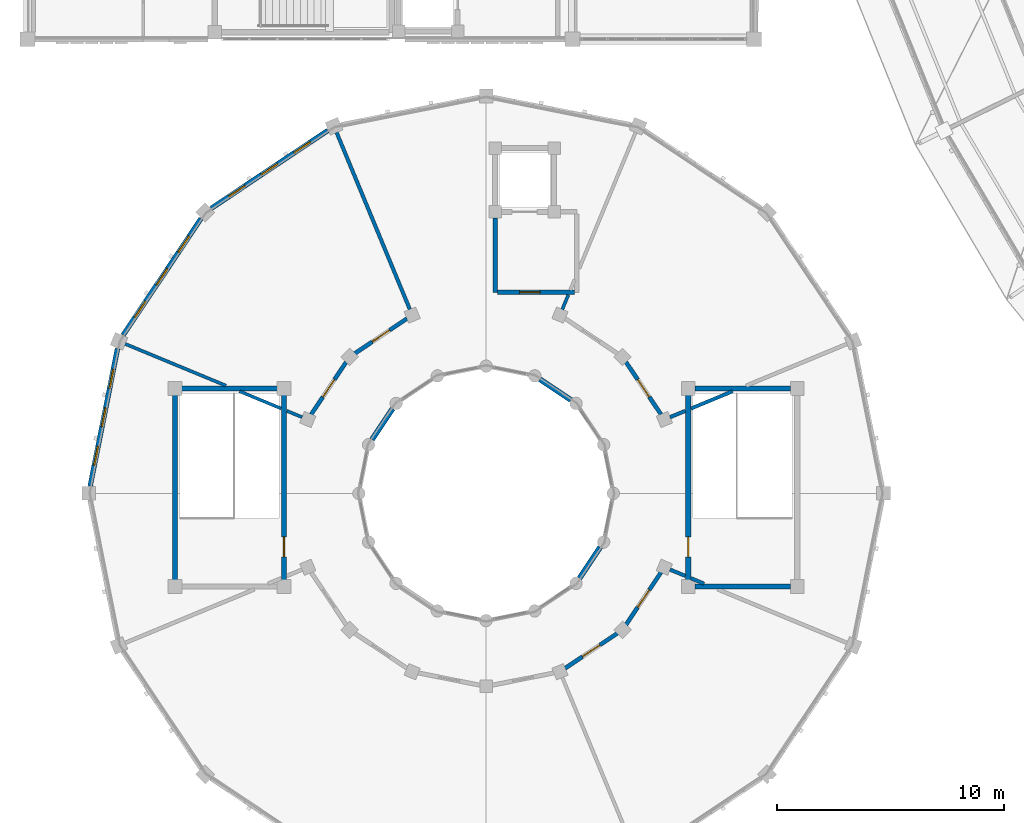
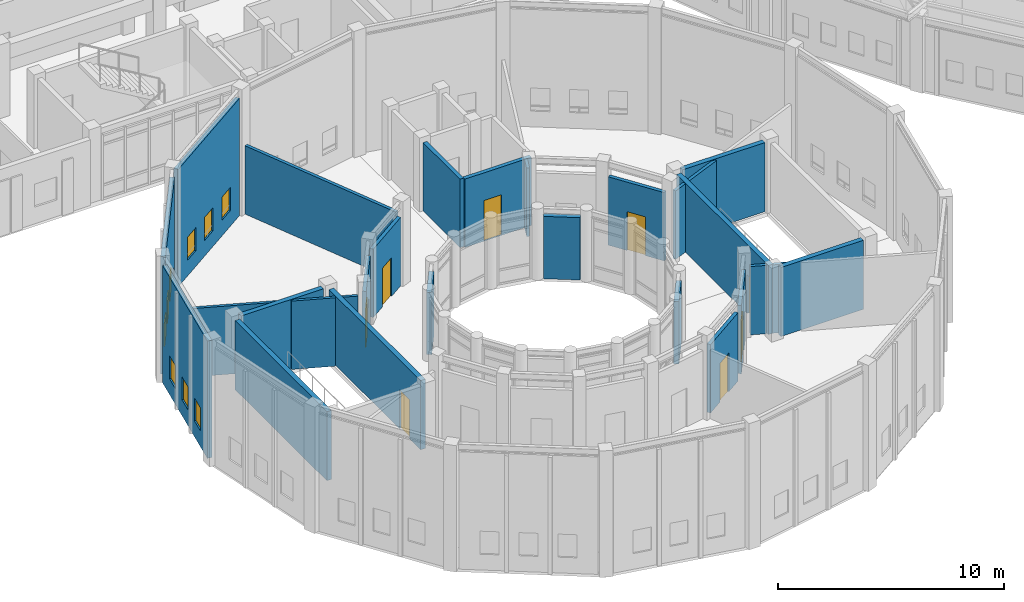
# One storey, part 117 of 149: 28 walls, 9 windows, 8 doors, 17 openings.
"""IFC4 building model written with IfcOpenShell, lengths in metres."""

from ifc_helpers import new_model, si_unit, direction, frame, frame_2d, origin, place, context, subcontext, project, spatial, rectangle, extrude, material, layer, layer_set, type_object, element, fill, save


model = new_model("IFC4")

# Units and contexts
model_context = context("Model", 3, precision=1e-05, world=origin(), true_north=direction((0.0, 1.0)))
body_context = subcontext(model_context, "Body", "Model", "MODEL_VIEW")
ifc_project = project(units=[si_unit("LENGTHUNIT", "METRE"), si_unit("AREAUNIT", "SQUARE_METRE"), si_unit("VOLUMEUNIT", "CUBIC_METRE"), si_unit("PLANEANGLEUNIT", "RADIAN"), si_unit("MASSUNIT", "GRAM", prefix="KILO")], contexts=[model_context])

# Site, building, storey
site_placement = place(None, origin())
site = spatial("IfcSite", under=ifc_project, at=site_placement, CompositionType="ELEMENT")
building_placement = place(site_placement, origin())
building = spatial("IfcBuilding", under=site, at=building_placement, Name="Celadon Cloister-Ring School", CompositionType="ELEMENT")
storey_placement = place(building_placement, frame((0.0, 0.0, 12.5)))
storey = spatial("IfcBuildingStorey", under=building, at=storey_placement, Name="L03", CompositionType="ELEMENT", Elevation=12.5)

# Walls
ifc_material_1 = material(Name="Rendered concrete blockwork", Category="masonry")
ifc_layer_1 = layer(ifc_material_1, 0.239990234375)
ifc_layer_set_1 = layer_set([ifc_layer_1], Name="Rendered concrete blockwork")
wall_type_1 = type_object("IfcWallType", Name="WT-EX3", PredefinedType="SOLIDWALL", material=ifc_layer_set_1)
for number, where, z_axis, x_axis, name in (
    (1, (23.929931640625, 24.114013671875, 0.0), (0.0, 0.0, 1.0), (-0.83165874011, 0.555287078904, 0.0), "Exterior Wall 0354"),
    (2, (16.0859375, 23.72998046875, 0.0), (0.0, 0.0, 1.0), (-0.555287078904, -0.83165874011, 0.0), "Exterior Wall 0359"),
    (3, (24.31396484375, 16.27001953125, 0.0), (0.0, 0.0, 1.0), (0.555287078904, 0.83165874011, 0.0), "Exterior Wall 0369"),
):
    element("IfcWall", number, at=place(storey_placement, frame(where, z_axis=z_axis, x_axis=x_axis)), inside=storey, type_object=wall_type_1, Name=name, PredefinedType="SOLIDWALL", context=body_context, shape_type="SweptSolid", body=[
        extrude(rectangle(XDim=1.631591796875, YDim=0.239990234375, at=frame_2d((0.81591796875, 0.0))), origin(), (0.0, 0.0, 1.0), 3.375),
    ])

# Wall, openings, windows
ifc_material_2 = material(Name="Perforated terracotta clay brick masonry", Category="masonry")
ifc_layer_2 = layer(ifc_material_2, 0.219970703125)
ifc_layer_set_2 = layer_set([ifc_layer_2], Name="Perforated terracotta clay brick masonry")
wall_type_2 = type_object("IfcWallType", Name="WT-EX4", PredefinedType="SOLIDWALL", material=ifc_layer_set_2)
wall_1_placement = place(storey_placement, frame((8.10009765625, 32.556884765625, 0.0), z_axis=(0.0, 0.0, 1.0), x_axis=(0.831379966495, 0.555704374025, 0.0)))
wall_1 = element("IfcWall", 4, at=wall_1_placement, inside=storey, type_object=wall_type_2, Name="Exterior Wall 0357", PredefinedType="SOLIDWALL", context=body_context, shape_type="SweptSolid", body=[
    extrude(rectangle(XDim=6.169189453125, YDim=0.219970703125, at=frame_2d((3.08447265625, 0.0))), origin(), (0.0, 0.0, 1.0), 6.35009765625),
])
opening_1_placement = place(wall_1_placement, frame((0.931884765625, 0.0, 0.85009765625)))
opening_1 = element("IfcOpeningElement", 5, at=opening_1_placement, cuts=wall_1, Name="Opening WN-11", PredefinedType="OPENING", context=body_context, shape_type="SweptSolid", body=[
    extrude(rectangle(XDim=0.85009765625, YDim=1.25, at=frame_2d((0.425048828125, 0.625))), frame((0.0, 0.1201171875, 0.0), z_axis=(0.0, -1.0, 0.0), x_axis=(1.0, 0.0, 0.0)), (0.0, 0.0, 1.0), 0.239990234375),
])
opening_2_placement = place(wall_1_placement, frame((2.659912109375, 0.0, 0.85009765625)))
opening_2 = element("IfcOpeningElement", 6, at=opening_2_placement, cuts=wall_1, Name="Opening WN-11", PredefinedType="OPENING", context=body_context, shape_type="SweptSolid", body=[
    extrude(rectangle(XDim=0.85009765625, YDim=1.25, at=frame_2d((0.425048828125, 0.625))), frame((0.0, 0.1201171875, 0.0), z_axis=(0.0, -1.0, 0.0), x_axis=(1.0, 0.0, 0.0)), (0.0, 0.0, 1.0), 0.239990234375),
])
opening_3_placement = place(wall_1_placement, frame((4.386962890625, 0.0, 0.85009765625)))
opening_3 = element("IfcOpeningElement", 7, at=opening_3_placement, cuts=wall_1, Name="Opening WN-11", PredefinedType="OPENING", context=body_context, shape_type="SweptSolid", body=[
    extrude(rectangle(XDim=0.85009765625, YDim=1.25, at=frame_2d((0.425048828125, 0.625))), frame((0.0, 0.1201171875, 0.0), z_axis=(0.0, -1.0, 0.0), x_axis=(1.0, 0.0, 0.0)), (0.0, 0.0, 1.0), 0.239990234375),
])
ifc_material_3 = material(Name="Tempered laminated insulating glass", Category="glass")
window_type = type_object("IfcWindowType", Name="WN-11", PartitioningType="SINGLE_PANEL", PredefinedType="WINDOW", material=ifc_material_3)
window_1_placement = place(opening_1_placement, origin())
window_1 = element("IfcWindow", 8, at=window_1_placement, inside=storey, type_object=window_type, Name="Window 0913", OverallHeight=1.25, OverallWidth=0.85009765625, PartitioningType="SINGLE_PANEL", PredefinedType="WINDOW", context=body_context, shape_type="SweptSolid", body=[
    extrude(rectangle(XDim=0.85009765625, YDim=1.25, at=frame_2d((0.425048828125, 0.625))), frame((0.0, 0.030029296875, 0.0), z_axis=(0.0, -1.0, 0.0), x_axis=(1.0, 0.0, 0.0)), (0.0, 0.0, 1.0), 0.06005859375),
])
fill(opening_1, window_1)
window_2_placement = place(opening_2_placement, origin())
window_2 = element("IfcWindow", 9, at=window_2_placement, inside=storey, type_object=window_type, Name="Window 0914", OverallHeight=1.25, OverallWidth=0.85009765625, PartitioningType="SINGLE_PANEL", PredefinedType="WINDOW", context=body_context, shape_type="SweptSolid", body=[
    extrude(rectangle(XDim=0.85009765625, YDim=1.25, at=frame_2d((0.425048828125, 0.625))), frame((0.0, 0.030029296875, 0.0), z_axis=(0.0, -1.0, 0.0), x_axis=(1.0, 0.0, 0.0)), (0.0, 0.0, 1.0), 0.06005859375),
])
fill(opening_2, window_2)
window_3_placement = place(opening_3_placement, origin())
window_3 = element("IfcWindow", 10, at=window_3_placement, inside=storey, type_object=window_type, Name="Window 0915", OverallHeight=1.25, OverallWidth=0.85009765625, PartitioningType="SINGLE_PANEL", PredefinedType="WINDOW", context=body_context, shape_type="SweptSolid", body=[
    extrude(rectangle(XDim=0.85009765625, YDim=1.25, at=frame_2d((0.425048828125, 0.625))), frame((0.0, 0.030029296875, 0.0), z_axis=(0.0, -1.0, 0.0), x_axis=(1.0, 0.0, 0.0)), (0.0, 0.0, 1.0), 0.06005859375),
])
fill(opening_3, window_3)

wall_2_placement = place(storey_placement, frame((4.215087890625, 26.970947265625, 0.0), z_axis=(0.0, 0.0, 1.0), x_axis=(0.555658736667, 0.831410469242, 0.0)))
wall_2 = element("IfcWall", 11, at=wall_2_placement, inside=storey, type_object=wall_type_2, Name="Exterior Wall 0358", PredefinedType="SOLIDWALL", context=body_context, shape_type="SweptSolid", body=[
    extrude(rectangle(XDim=6.169189453125, YDim=0.219970703125, at=frame_2d((3.08447265625, 0.0))), origin(), (0.0, 0.0, 1.0), 6.35009765625),
])
opening_4_placement = place(wall_2_placement, frame((0.931884765625, 0.0, 0.85009765625)))
opening_4 = element("IfcOpeningElement", 12, at=opening_4_placement, cuts=wall_2, Name="Opening WN-11", PredefinedType="OPENING", context=body_context, shape_type="SweptSolid", body=[
    extrude(rectangle(XDim=0.85009765625, YDim=1.25, at=frame_2d((0.425048828125, 0.625))), frame((0.0, 0.1201171875, 0.0), z_axis=(0.0, -1.0, 0.0), x_axis=(1.0, 0.0, 0.0)), (0.0, 0.0, 1.0), 0.239990234375),
])
opening_5_placement = place(wall_2_placement, frame((2.659912109375, 0.0, 0.85009765625)))
opening_5 = element("IfcOpeningElement", 13, at=opening_5_placement, cuts=wall_2, Name="Opening WN-11", PredefinedType="OPENING", context=body_context, shape_type="SweptSolid", body=[
    extrude(rectangle(XDim=0.85009765625, YDim=1.25, at=frame_2d((0.425048828125, 0.625))), frame((0.0, 0.1201171875, 0.0), z_axis=(0.0, -1.0, 0.0), x_axis=(1.0, 0.0, 0.0)), (0.0, 0.0, 1.0), 0.239990234375),
])
opening_6_placement = place(wall_2_placement, frame((4.386962890625, 0.0, 0.85009765625)))
opening_6 = element("IfcOpeningElement", 14, at=opening_6_placement, cuts=wall_2, Name="Opening WN-11", PredefinedType="OPENING", context=body_context, shape_type="SweptSolid", body=[
    extrude(rectangle(XDim=0.85009765625, YDim=1.25, at=frame_2d((0.425048828125, 0.625))), frame((0.0, 0.1201171875, 0.0), z_axis=(0.0, -1.0, 0.0), x_axis=(1.0, 0.0, 0.0)), (0.0, 0.0, 1.0), 0.239990234375),
])
window_4_placement = place(opening_4_placement, origin())
window_4 = element("IfcWindow", 15, at=window_4_placement, inside=storey, type_object=window_type, Name="Window 0916", OverallHeight=1.25, OverallWidth=0.85009765625, PartitioningType="SINGLE_PANEL", PredefinedType="WINDOW", context=body_context, shape_type="SweptSolid", body=[
    extrude(rectangle(XDim=0.85009765625, YDim=1.25, at=frame_2d((0.425048828125, 0.625))), frame((0.0, 0.030029296875, 0.0), z_axis=(0.0, -1.0, 0.0), x_axis=(1.0, 0.0, 0.0)), (0.0, 0.0, 1.0), 0.06005859375),
])
fill(opening_4, window_4)
window_5_placement = place(opening_5_placement, origin())
window_5 = element("IfcWindow", 16, at=window_5_placement, inside=storey, type_object=window_type, Name="Window 0917", OverallHeight=1.25, OverallWidth=0.85009765625, PartitioningType="SINGLE_PANEL", PredefinedType="WINDOW", context=body_context, shape_type="SweptSolid", body=[
    extrude(rectangle(XDim=0.85009765625, YDim=1.25, at=frame_2d((0.425048828125, 0.625))), frame((0.0, 0.030029296875, 0.0), z_axis=(0.0, -1.0, 0.0), x_axis=(1.0, 0.0, 0.0)), (0.0, 0.0, 1.0), 0.06005859375),
])
fill(opening_5, window_5)
window_6_placement = place(opening_6_placement, origin())
window_6 = element("IfcWindow", 17, at=window_6_placement, inside=storey, type_object=window_type, Name="Window 0918", OverallHeight=1.25, OverallWidth=0.85009765625, PartitioningType="SINGLE_PANEL", PredefinedType="WINDOW", context=body_context, shape_type="SweptSolid", body=[
    extrude(rectangle(XDim=0.85009765625, YDim=1.25, at=frame_2d((0.425048828125, 0.625))), frame((0.0, 0.030029296875, 0.0), z_axis=(0.0, -1.0, 0.0), x_axis=(1.0, 0.0, 0.0)), (0.0, 0.0, 1.0), 0.06005859375),
])
fill(opening_6, window_6)

wall_3_placement = place(storey_placement, frame((2.763916015625, 20.322998046875, 0.0), z_axis=(0.0, 0.0, 1.0), x_axis=(0.195164813773, 0.980770460131, 0.0)))
wall_3 = element("IfcWall", 18, at=wall_3_placement, inside=storey, type_object=wall_type_2, Name="Exterior Wall 0360", PredefinedType="SOLIDWALL", context=body_context, shape_type="SweptSolid", body=[
    extrude(rectangle(XDim=6.169677734375, YDim=0.219970703125, at=frame_2d((3.0849609375, 0.0))), origin(), (0.0, 0.0, 1.0), 6.35009765625),
])
opening_7_placement = place(wall_3_placement, frame((0.931884765625, 0.0, 0.85009765625)))
opening_7 = element("IfcOpeningElement", 19, at=opening_7_placement, cuts=wall_3, Name="Opening WN-11", PredefinedType="OPENING", context=body_context, shape_type="SweptSolid", body=[
    extrude(rectangle(XDim=0.85009765625, YDim=1.25, at=frame_2d((0.425048828125, 0.625))), frame((0.0, 0.1201171875, 0.0), z_axis=(0.0, -1.0, 0.0), x_axis=(1.0, 0.0, 0.0)), (0.0, 0.0, 1.0), 0.239990234375),
])
opening_8_placement = place(wall_3_placement, frame((2.659912109375, 0.0, 0.85009765625)))
opening_8 = element("IfcOpeningElement", 20, at=opening_8_placement, cuts=wall_3, Name="Opening WN-11", PredefinedType="OPENING", context=body_context, shape_type="SweptSolid", body=[
    extrude(rectangle(XDim=0.85009765625, YDim=1.25, at=frame_2d((0.425048828125, 0.625))), frame((0.0, 0.1201171875, 0.0), z_axis=(0.0, -1.0, 0.0), x_axis=(1.0, 0.0, 0.0)), (0.0, 0.0, 1.0), 0.239990234375),
])
opening_9_placement = place(wall_3_placement, frame((4.386962890625, 0.0, 0.85009765625)))
opening_9 = element("IfcOpeningElement", 21, at=opening_9_placement, cuts=wall_3, Name="Opening WN-11", PredefinedType="OPENING", context=body_context, shape_type="SweptSolid", body=[
    extrude(rectangle(XDim=0.85009765625, YDim=1.25, at=frame_2d((0.425048828125, 0.625))), frame((0.0, 0.1201171875, 0.0), z_axis=(0.0, -1.0, 0.0), x_axis=(1.0, 0.0, 0.0)), (0.0, 0.0, 1.0), 0.239990234375),
])
window_7_placement = place(opening_7_placement, origin())
window_7 = element("IfcWindow", 22, at=window_7_placement, inside=storey, type_object=window_type, Name="Window 0919", OverallHeight=1.25, OverallWidth=0.85009765625, PartitioningType="SINGLE_PANEL", PredefinedType="WINDOW", context=body_context, shape_type="SweptSolid", body=[
    extrude(rectangle(XDim=0.85009765625, YDim=1.25, at=frame_2d((0.425048828125, 0.625))), frame((0.0, 0.030029296875, 0.0), z_axis=(0.0, -1.0, 0.0), x_axis=(1.0, 0.0, 0.0)), (0.0, 0.0, 1.0), 0.06005859375),
])
fill(opening_7, window_7)
window_8_placement = place(opening_8_placement, origin())
window_8 = element("IfcWindow", 23, at=window_8_placement, inside=storey, type_object=window_type, Name="Window 0920", OverallHeight=1.25, OverallWidth=0.85009765625, PartitioningType="SINGLE_PANEL", PredefinedType="WINDOW", context=body_context, shape_type="SweptSolid", body=[
    extrude(rectangle(XDim=0.85009765625, YDim=1.25, at=frame_2d((0.425048828125, 0.625))), frame((0.0, 0.030029296875, 0.0), z_axis=(0.0, -1.0, 0.0), x_axis=(1.0, 0.0, 0.0)), (0.0, 0.0, 1.0), 0.06005859375),
])
fill(opening_8, window_8)
window_9_placement = place(opening_9_placement, origin())
window_9 = element("IfcWindow", 24, at=window_9_placement, inside=storey, type_object=window_type, Name="Window 0921", OverallHeight=1.25, OverallWidth=0.85009765625, PartitioningType="SINGLE_PANEL", PredefinedType="WINDOW", context=body_context, shape_type="SweptSolid", body=[
    extrude(rectangle(XDim=0.85009765625, YDim=1.25, at=frame_2d((0.425048828125, 0.625))), frame((0.0, 0.030029296875, 0.0), z_axis=(0.0, -1.0, 0.0), x_axis=(1.0, 0.0, 0.0)), (0.0, 0.0, 1.0), 0.06005859375),
])
fill(opening_9, window_9)

# Wall
ifc_material_4 = material(Name="Plastered hollow concrete masonry", Category="masonry")
ifc_layer_3 = layer(ifc_material_4, 0.199951171875)
ifc_layer_set_3 = layer_set([ifc_layer_3], Name="Plastered hollow concrete masonry")
wall_type_3 = type_object("IfcWallType", Name="WT-PT1", PredefinedType="PARTITIONING", material=ifc_layer_set_3)
wall_4_placement = place(storey_placement, frame((20.60009765625, 28.85009765625, 0.0), z_axis=(0.0, 0.0, 1.0), x_axis=(0.0, 1.0, 0.0)))
element("IfcWall", 25, at=wall_4_placement, inside=storey, type_object=wall_type_3, Name="Interior Wall 0396", PredefinedType="PARTITIONING", context=body_context, shape_type="SweptSolid", body=[
    extrude(rectangle(XDim=3.282958984375, YDim=0.199951171875, at=frame_2d((1.6416015625, 0.0))), origin(), (0.0, 0.0, 1.0), 3.699951171875),
])

# Wall, opening, door
wall_5_placement = place(storey_placement, frame((24.096923828125, 28.85009765625, 0.0), z_axis=(0.0, 0.0, 1.0), x_axis=(-1.0, 0.0, 0.0)))
wall_5 = element("IfcWall", 26, at=wall_5_placement, inside=storey, type_object=wall_type_3, Name="Interior Wall 0398", PredefinedType="PARTITIONING", context=body_context, shape_type="SweptSolid", body=[
    extrude(rectangle(XDim=3.39404296875, YDim=0.199951171875, at=frame_2d((1.697021484375, 0.0))), origin(), (0.0, 0.0, 1.0), 3.699951171875),
])
opening_10_placement = place(wall_5_placement, frame((1.51904296875, 0.0, 0.0)))
opening_10 = element("IfcOpeningElement", 27, at=opening_10_placement, cuts=wall_5, Name="Opening D-0108", PredefinedType="OPENING", context=body_context, shape_type="SweptSolid", body=[
    extrude(rectangle(XDim=0.89990234375, YDim=2.199951171875, at=frame_2d((0.449951171875, 1.10009765625))), frame((0.0, 0.10986328125, 0.0), z_axis=(0.0, -1.0, 0.0), x_axis=(1.0, 0.0, 0.0)), (0.0, 0.0, 1.0), 0.219970703125),
])
ifc_material_5 = material(Name="Solid-core fire-rated hardwood leaf", Category="wood")
door_type_1 = type_object("IfcDoorType", Name="DT-06", OperationType="NOTDEFINED", PredefinedType="DOOR", material=ifc_material_5)
door_1_placement = place(opening_10_placement, origin())
door_1 = element("IfcDoor", 28, at=door_1_placement, inside=storey, type_object=door_type_1, Name="Door D-0108", OperationType="SINGLE_SWING_RIGHT", OverallHeight=2.199951171875, OverallWidth=0.89990234375, PredefinedType="DOOR", context=body_context, shape_type="SweptSolid", body=[
    extrude(rectangle(XDim=0.89990234375, YDim=2.199951171875, at=frame_2d((0.449951171875, 1.10009765625))), frame((0.0, 0.02490234375, 0.0), z_axis=(0.0, -1.0, 0.0), x_axis=(1.0, 0.0, 0.0)), (0.0, 0.0, 1.0), 0.050048828125),
])
fill(opening_10, door_1)

ifc_material_6 = material(Name="Plastered hollow concrete masonry", Category="masonry")
ifc_layer_4 = layer(ifc_material_6, 0.179931640625)
ifc_layer_set_4 = layer_set([ifc_layer_4], Name="Plastered hollow concrete masonry")
wall_type_4 = type_object("IfcWallType", Name="WT-PT2", PredefinedType="PARTITIONING", material=ifc_layer_set_4)
wall_6_placement = place(storey_placement, frame((27.902099609375, 23.47900390625, 0.0), z_axis=(0.0, 0.0, 1.0), x_axis=(-0.555797002478, 0.831318045056, 0.0)))
wall_6 = element("IfcWall", 29, at=wall_6_placement, inside=storey, type_object=wall_type_4, Name="Interior Wall 0864", PredefinedType="PARTITIONING", context=body_context, shape_type="SweptSolid", body=[
    extrude(rectangle(XDim=2.772705078125, YDim=0.179931640625, at=frame_2d((1.38623046875, 0.0))), origin(), (0.0, 0.0, 1.0), 3.699951171875),
])
opening_11_placement = place(wall_6_placement, frame((0.926025390625, 0.0, 0.0)))
opening_11 = element("IfcOpeningElement", 30, at=opening_11_placement, cuts=wall_6, Name="Opening D-0311", PredefinedType="OPENING", context=body_context, shape_type="SweptSolid", body=[
    extrude(rectangle(XDim=0.919921875, YDim=2.10009765625, at=frame_2d((0.4599609375, 1.050048828125))), frame((0.0, 0.10009765625, 0.0), z_axis=(0.0, -1.0, 0.0), x_axis=(1.0, 0.0, 0.0)), (0.0, 0.0, 1.0), 0.199951171875),
])
ifc_material_7 = material(Name="Solid-core fire-rated hardwood leaf", Category="wood")
door_type_2 = type_object("IfcDoorType", Name="DT-02", OperationType="NOTDEFINED", PredefinedType="DOOR", material=ifc_material_7)
door_2_placement = place(opening_11_placement, origin())
door_2 = element("IfcDoor", 31, at=door_2_placement, inside=storey, type_object=door_type_2, Name="Door D-0311", OperationType="SINGLE_SWING_LEFT", OverallHeight=2.10009765625, OverallWidth=0.919921875, PredefinedType="DOOR", context=body_context, shape_type="SweptSolid", body=[
    extrude(rectangle(XDim=0.919921875, YDim=2.10009765625, at=frame_2d((0.4599609375, 1.050048828125))), frame((0.0, 0.02490234375, 0.0), z_axis=(0.0, -1.0, 0.0), x_axis=(1.0, 0.0, 0.0)), (0.0, 0.0, 1.0), 0.050048828125),
])
fill(opening_11, door_2)

wall_7_placement = place(storey_placement, frame((16.720947265625, 27.701904296875, 0.0), z_axis=(0.0, 0.0, 1.0), x_axis=(-0.831318045056, -0.555797002478, 0.0)))
wall_7 = element("IfcWall", 32, at=wall_7_placement, inside=storey, type_object=wall_type_4, Name="Interior Wall 0866", PredefinedType="PARTITIONING", context=body_context, shape_type="SweptSolid", body=[
    extrude(rectangle(XDim=2.772705078125, YDim=0.179931640625, at=frame_2d((1.38623046875, 0.0))), origin(), (0.0, 0.0, 1.0), 3.699951171875),
])
opening_12_placement = place(wall_7_placement, frame((0.926025390625, 0.0, 0.0)))
opening_12 = element("IfcOpeningElement", 33, at=opening_12_placement, cuts=wall_7, Name="Opening D-0313", PredefinedType="OPENING", context=body_context, shape_type="SweptSolid", body=[
    extrude(rectangle(XDim=0.919921875, YDim=2.10009765625, at=frame_2d((0.4599609375, 1.050048828125))), frame((0.0, 0.10009765625, 0.0), z_axis=(0.0, -1.0, 0.0), x_axis=(1.0, 0.0, 0.0)), (0.0, 0.0, 1.0), 0.199951171875),
])
door_3_placement = place(opening_12_placement, origin())
door_3 = element("IfcDoor", 34, at=door_3_placement, inside=storey, type_object=door_type_2, Name="Door D-0313", OperationType="SINGLE_SWING_LEFT", OverallHeight=2.10009765625, OverallWidth=0.919921875, PredefinedType="DOOR", context=body_context, shape_type="SweptSolid", body=[
    extrude(rectangle(XDim=0.919921875, YDim=2.10009765625, at=frame_2d((0.4599609375, 1.050048828125))), frame((0.0, 0.02490234375, 0.0), z_axis=(0.0, -1.0, 0.0), x_axis=(1.0, 0.0, 0.0)), (0.0, 0.0, 1.0), 0.050048828125),
])
fill(opening_12, door_3)

wall_8_placement = place(storey_placement, frame((14.0390625, 25.783935546875, 0.0), z_axis=(0.0, 0.0, 1.0), x_axis=(-0.555797002478, -0.831318045056, 0.0)))
wall_8 = element("IfcWall", 35, at=wall_8_placement, inside=storey, type_object=wall_type_4, Name="Interior Wall 0867", PredefinedType="PARTITIONING", context=body_context, shape_type="SweptSolid", body=[
    extrude(rectangle(XDim=2.772705078125, YDim=0.179931640625, at=frame_2d((1.38623046875, 0.0))), origin(), (0.0, 0.0, 1.0), 3.699951171875),
])
opening_13_placement = place(wall_8_placement, frame((0.926025390625, 0.0, 0.0)))
opening_13 = element("IfcOpeningElement", 36, at=opening_13_placement, cuts=wall_8, Name="Opening D-0314", PredefinedType="OPENING", context=body_context, shape_type="SweptSolid", body=[
    extrude(rectangle(XDim=0.919921875, YDim=2.10009765625, at=frame_2d((0.4599609375, 1.050048828125))), frame((0.0, 0.10009765625, 0.0), z_axis=(0.0, -1.0, 0.0), x_axis=(1.0, 0.0, 0.0)), (0.0, 0.0, 1.0), 0.199951171875),
])
door_4_placement = place(opening_13_placement, origin())
door_4 = element("IfcDoor", 37, at=door_4_placement, inside=storey, type_object=door_type_2, Name="Door D-0314", OperationType="SINGLE_SWING_RIGHT", OverallHeight=2.10009765625, OverallWidth=0.919921875, PredefinedType="DOOR", context=body_context, shape_type="SweptSolid", body=[
    extrude(rectangle(XDim=0.919921875, YDim=2.10009765625, at=frame_2d((0.4599609375, 1.050048828125))), frame((0.0, 0.02490234375, 0.0), z_axis=(0.0, -1.0, 0.0), x_axis=(1.0, 0.0, 0.0)), (0.0, 0.0, 1.0), 0.050048828125),
])
fill(opening_13, door_4)

wall_9_placement = place(storey_placement, frame((23.678955078125, 12.298095703125, 0.0), z_axis=(0.0, 0.0, 1.0), x_axis=(0.831318045056, 0.555797002478, 0.0)))
wall_9 = element("IfcWall", 38, at=wall_9_placement, inside=storey, type_object=wall_type_4, Name="Interior Wall 0872", PredefinedType="PARTITIONING", context=body_context, shape_type="SweptSolid", body=[
    extrude(rectangle(XDim=2.772705078125, YDim=0.179931640625, at=frame_2d((1.38623046875, 0.0))), origin(), (0.0, 0.0, 1.0), 3.699951171875),
])
opening_14_placement = place(wall_9_placement, frame((0.926025390625, 0.0, 0.0)))
opening_14 = element("IfcOpeningElement", 39, at=opening_14_placement, cuts=wall_9, Name="Opening D-0319", PredefinedType="OPENING", context=body_context, shape_type="SweptSolid", body=[
    extrude(rectangle(XDim=0.919921875, YDim=2.10009765625, at=frame_2d((0.4599609375, 1.050048828125))), frame((0.0, 0.10009765625, 0.0), z_axis=(0.0, -1.0, 0.0), x_axis=(1.0, 0.0, 0.0)), (0.0, 0.0, 1.0), 0.199951171875),
])
door_5_placement = place(opening_14_placement, origin())
door_5 = element("IfcDoor", 40, at=door_5_placement, inside=storey, type_object=door_type_2, Name="Door D-0319", OperationType="SINGLE_SWING_LEFT", OverallHeight=2.10009765625, OverallWidth=0.919921875, PredefinedType="DOOR", context=body_context, shape_type="SweptSolid", body=[
    extrude(rectangle(XDim=0.919921875, YDim=2.10009765625, at=frame_2d((0.4599609375, 1.050048828125))), frame((0.0, 0.02490234375, 0.0), z_axis=(0.0, -1.0, 0.0), x_axis=(1.0, 0.0, 0.0)), (0.0, 0.0, 1.0), 0.050048828125),
])
fill(opening_14, door_5)

wall_10_placement = place(storey_placement, frame((26.361083984375, 14.216064453125, 0.0), z_axis=(0.0, 0.0, 1.0), x_axis=(0.555797002478, 0.831318045056, 0.0)))
wall_10 = element("IfcWall", 41, at=wall_10_placement, inside=storey, type_object=wall_type_4, Name="Interior Wall 0873", PredefinedType="PARTITIONING", context=body_context, shape_type="SweptSolid", body=[
    extrude(rectangle(XDim=2.772705078125, YDim=0.179931640625, at=frame_2d((1.38623046875, 0.0))), origin(), (0.0, 0.0, 1.0), 3.699951171875),
])
opening_15_placement = place(wall_10_placement, frame((0.926025390625, 0.0, 0.0)))
opening_15 = element("IfcOpeningElement", 42, at=opening_15_placement, cuts=wall_10, Name="Opening D-0320", PredefinedType="OPENING", context=body_context, shape_type="SweptSolid", body=[
    extrude(rectangle(XDim=0.919921875, YDim=2.10009765625, at=frame_2d((0.4599609375, 1.050048828125))), frame((0.0, 0.10009765625, 0.0), z_axis=(0.0, -1.0, 0.0), x_axis=(1.0, 0.0, 0.0)), (0.0, 0.0, 1.0), 0.199951171875),
])
door_6_placement = place(opening_15_placement, origin())
door_6 = element("IfcDoor", 43, at=door_6_placement, inside=storey, type_object=door_type_2, Name="Door D-0320", OperationType="SINGLE_SWING_RIGHT", OverallHeight=2.10009765625, OverallWidth=0.919921875, PredefinedType="DOOR", context=body_context, shape_type="SweptSolid", body=[
    extrude(rectangle(XDim=0.919921875, YDim=2.10009765625, at=frame_2d((0.4599609375, 1.050048828125))), frame((0.0, 0.02490234375, 0.0), z_axis=(0.0, -1.0, 0.0), x_axis=(1.0, 0.0, 0.0)), (0.0, 0.0, 1.0), 0.050048828125),
])
fill(opening_15, door_6)

# Walls
ifc_material_8 = material(Name="Plastered hollow concrete masonry", Category="masonry")
ifc_layer_5 = layer(ifc_material_8, 0.159912109375)
ifc_layer_set_5 = layer_set([ifc_layer_5], Name="Plastered hollow concrete masonry")
wall_type_5 = type_object("IfcWallType", Name="WT-PT3", PredefinedType="PARTITIONING", material=ifc_layer_set_5)
wall_11_placement = place(storey_placement, frame((28.300048828125, 23.35498046875, 0.0), z_axis=(0.0, 0.0, 1.0), x_axis=(0.924069600435, 0.382224245113, 0.0)))
element("IfcWall", 44, at=wall_11_placement, inside=storey, type_object=wall_type_5, Name="Interior Wall 0847", PredefinedType="PARTITIONING", context=body_context, shape_type="SweptSolid", body=[
    extrude(rectangle(XDim=0.732666015625, YDim=0.159912109375, at=frame_2d((0.3662109375, 0.0))), origin(), (0.0, 0.0, 1.0), 3.699951171875),
])
wall_12_placement = place(storey_placement, frame((29.222900390625, 23.737060546875, 0.0), z_axis=(0.0, 0.0, 1.0), x_axis=(0.923817443679, 0.382833293686, 0.0)))
element("IfcWall", 45, at=wall_12_placement, inside=storey, type_object=wall_type_5, Name="Interior Wall 0848", PredefinedType="PARTITIONING", context=body_context, shape_type="SweptSolid", body=[
    extrude(rectangle(XDim=1.985107421875, YDim=0.159912109375, at=frame_2d((0.99267578125, 0.0))), origin(), (0.0, 0.0, 1.0), 3.699951171875),
])
wall_13_placement = place(storey_placement, frame((16.844970703125, 28.10009765625, 0.0), z_axis=(0.0, 0.0, 1.0), x_axis=(-0.382683896966, 0.923879340067, 0.0)))
element("IfcWall", 46, at=wall_13_placement, inside=storey, type_object=wall_type_5, Name="Interior Wall 0853", PredefinedType="PARTITIONING", context=body_context, shape_type="SweptSolid", body=[
    extrude(rectangle(XDim=8.4404296875, YDim=0.159912109375, at=frame_2d((4.22021484375, 0.0))), origin(), (0.0, 0.0, 1.0), 3.699951171875),
])
wall_14_placement = place(storey_placement, frame((28.300048828125, 16.64501953125, 0.0), z_axis=(0.0, 0.0, 1.0), x_axis=(0.924069600435, -0.382224245113, 0.0)))
element("IfcWall", 47, at=wall_14_placement, inside=storey, type_object=wall_type_5, Name="Interior Wall 0861", PredefinedType="PARTITIONING", context=body_context, shape_type="SweptSolid", body=[
    extrude(rectangle(XDim=0.732666015625, YDim=0.159912109375, at=frame_2d((0.3662109375, 0.0))), origin(), (0.0, 0.0, 1.0), 3.699951171875),
])
wall_15_placement = place(storey_placement, frame((29.222900390625, 16.262939453125, 0.0), z_axis=(0.0, 0.0, 1.0), x_axis=(0.923812676193, -0.382844797933, 0.0)))
element("IfcWall", 48, at=wall_15_placement, inside=storey, type_object=wall_type_5, Name="Interior Wall 0862", PredefinedType="PARTITIONING", context=body_context, shape_type="SweptSolid", body=[
    extrude(rectangle(XDim=0.626953125, YDim=0.159912109375, at=frame_2d((0.3134765625, 0.0))), origin(), (0.0, 0.0, 1.0), 3.699951171875),
])
ifc_material_9 = material(Name="Acoustic mineral-wool drywall partition")
ifc_layer_6 = layer(ifc_material_9, 0.139892578125)
ifc_layer_set_6 = layer_set([ifc_layer_6], Name="Acoustic mineral-wool drywall partition")
wall_type_6 = type_object("IfcWallType", Name="WT-PT4", PredefinedType="PARTITIONING", material=ifc_layer_set_6)
wall_16_placement = place(storey_placement, frame((23.554931640625, 28.10009765625, 0.0), z_axis=(0.0, 0.0, 1.0), x_axis=(0.38278283439, 0.923838352579, 0.0)))
element("IfcWall", 49, at=wall_16_placement, inside=storey, type_object=wall_type_6, Name="Interior Wall 0850", PredefinedType="PARTITIONING", context=body_context, shape_type="SweptSolid", body=[
    extrude(rectangle(XDim=0.7001953125, YDim=0.139892578125, at=frame_2d((0.35009765625, 0.0))), origin(), (0.0, 0.0, 1.0), 3.699951171875),
])
wall_17_placement = place(storey_placement, frame((12.10009765625, 23.35498046875, 0.0), z_axis=(0.0, 0.0, 1.0), x_axis=(-0.924069600435, 0.382224245113, 0.0)))
element("IfcWall", 50, at=wall_17_placement, inside=storey, type_object=wall_type_6, Name="Interior Wall 0854", PredefinedType="PARTITIONING", context=body_context, shape_type="SweptSolid", body=[
    extrude(rectangle(XDim=0.732666015625, YDim=0.139892578125, at=frame_2d((0.3662109375, 0.0))), origin(), (0.0, 0.0, 1.0), 3.699951171875),
])
wall_18_placement = place(storey_placement, frame((11.177001953125, 23.737060546875, 0.0), z_axis=(0.0, 0.0, 1.0), x_axis=(-0.923817443679, 0.382833293686, 0.0)))
element("IfcWall", 51, at=wall_18_placement, inside=storey, type_object=wall_type_6, Name="Interior Wall 0855", PredefinedType="PARTITIONING", context=body_context, shape_type="SweptSolid", body=[
    extrude(rectangle(XDim=1.985107421875, YDim=0.139892578125, at=frame_2d((0.99267578125, 0.0))), origin(), (0.0, 0.0, 1.0), 3.699951171875),
])
wall_19_placement = place(storey_placement, frame((8.7490234375, 24.742919921875, 0.0), z_axis=(0.0, 0.0, 1.0), x_axis=(-0.923877739946, 0.382687759972, 0.0)))
element("IfcWall", 52, at=wall_19_placement, inside=storey, type_object=wall_type_6, Name="Interior Wall 0856", PredefinedType="PARTITIONING", context=body_context, shape_type="SweptSolid", body=[
    extrude(rectangle(XDim=4.8134765625, YDim=0.139892578125, at=frame_2d((2.40673828125, 0.0))), origin(), (0.0, 0.0, 1.0), 3.699951171875),
])
ifc_material_10 = material(Name="Concrete C40/50", Category="concrete")
ifc_layer_7 = layer(ifc_material_10, 0.239990234375)
ifc_layer_set_7 = layer_set([ifc_layer_7], Name="Concrete C40/50")
wall_type_7 = type_object("IfcWallType", Name="WT-SH1", PredefinedType="SHEAR", material=ifc_layer_set_7)
wall_20_placement = place(storey_placement, frame((6.5, 16.19189453125, 0.0), z_axis=(0.0, 0.0, 1.0), x_axis=(0.0, 1.0, 0.0)))
element("IfcWall", 53, at=wall_20_placement, inside=storey, type_object=wall_type_7, Name="Interior Wall 0061", PredefinedType="SHEAR", context=body_context, shape_type="SweptSolid", body=[
    extrude(rectangle(XDim=8.135986328125, YDim=0.239990234375, at=frame_2d((4.06787109375, 0.0))), origin(), (0.0, 0.0, 1.0), 3.739990234375),
])

# Wall, opening, door
wall_21_placement = place(storey_placement, frame((11.300048828125, 24.327880859375, 0.0), z_axis=(0.0, 0.0, 1.0), x_axis=(0.0, -1.0, 0.0)))
wall_21 = element("IfcWall", 54, at=wall_21_placement, inside=storey, type_object=wall_type_7, Name="Interior Wall 0062", PredefinedType="SHEAR", context=body_context, shape_type="SweptSolid", body=[
    extrude(rectangle(XDim=8.135986328125, YDim=0.239990234375, at=frame_2d((4.06787109375, 0.0))), origin(), (0.0, 0.0, 1.0), 3.739990234375),
])
opening_16_placement = place(wall_21_placement, frame((6.243896484375, 0.0, 0.0)))
opening_16 = element("IfcOpeningElement", 55, at=opening_16_placement, cuts=wall_21, Name="Opening D-0048", PredefinedType="OPENING", context=body_context, shape_type="SweptSolid", body=[
    extrude(rectangle(XDim=0.8798828125, YDim=2.10009765625, at=frame_2d((0.43994140625, 1.050048828125))), frame((0.0, 0.1298828125, 0.0), z_axis=(0.0, -1.0, 0.0), x_axis=(1.0, 0.0, 0.0)), (0.0, 0.0, 1.0), 0.260009765625),
])
ifc_material_11 = material(Name="Solid-core fire-rated hardwood leaf", Category="wood")
door_type_3 = type_object("IfcDoorType", Name="DT-01", OperationType="NOTDEFINED", PredefinedType="DOOR", material=ifc_material_11)
door_7_placement = place(opening_16_placement, origin())
door_7 = element("IfcDoor", 56, at=door_7_placement, inside=storey, type_object=door_type_3, Name="Door D-0048", OperationType="SINGLE_SWING_RIGHT", OverallHeight=2.10009765625, OverallWidth=0.8798828125, PredefinedType="DOOR", context=body_context, shape_type="SweptSolid", body=[
    extrude(rectangle(XDim=0.8798828125, YDim=2.10009765625, at=frame_2d((0.43994140625, 1.050048828125))), frame((0.0, 0.02490234375, 0.0), z_axis=(0.0, -1.0, 0.0), x_axis=(1.0, 0.0, 0.0)), (0.0, 0.0, 1.0), 0.050048828125),
])
fill(opening_16, door_7)

# Wall
wall_22_placement = place(storey_placement, frame((11.008056640625, 24.6201171875, 0.0), z_axis=(0.0, 0.0, 1.0), x_axis=(-1.0, 0.0, 0.0)))
element("IfcWall", 57, at=wall_22_placement, inside=storey, type_object=wall_type_7, Name="Interior Wall 0064", PredefinedType="SHEAR", context=body_context, shape_type="SweptSolid", body=[
    extrude(rectangle(XDim=4.216064453125, YDim=0.239990234375, at=frame_2d((2.10791015625, 0.0))), origin(), (0.0, 0.0, 1.0), 3.739990234375),
])

# Wall, opening, door
wall_23_placement = place(storey_placement, frame((29.10009765625, 16.19189453125, 0.0), z_axis=(0.0, 0.0, 1.0), x_axis=(0.0, 1.0, 0.0)))
wall_23 = element("IfcWall", 58, at=wall_23_placement, inside=storey, type_object=wall_type_7, Name="Interior Wall 0077", PredefinedType="SHEAR", context=body_context, shape_type="SweptSolid", body=[
    extrude(rectangle(XDim=8.135986328125, YDim=0.239990234375, at=frame_2d((4.06787109375, 0.0))), origin(), (0.0, 0.0, 1.0), 3.739990234375),
])
opening_17_placement = place(wall_23_placement, frame((1.011962890625, 0.0, 0.0)))
opening_17 = element("IfcOpeningElement", 59, at=opening_17_placement, cuts=wall_23, Name="Opening D-0052", PredefinedType="OPENING", context=body_context, shape_type="SweptSolid", body=[
    extrude(rectangle(XDim=0.8798828125, YDim=2.10009765625, at=frame_2d((0.43994140625, 1.050048828125))), frame((0.0, 0.1298828125, 0.0), z_axis=(0.0, -1.0, 0.0), x_axis=(1.0, 0.0, 0.0)), (0.0, 0.0, 1.0), 0.260009765625),
])
door_8_placement = place(opening_17_placement, origin())
door_8 = element("IfcDoor", 60, at=door_8_placement, inside=storey, type_object=door_type_3, Name="Door D-0052", OperationType="SINGLE_SWING_RIGHT", OverallHeight=2.10009765625, OverallWidth=0.8798828125, PredefinedType="DOOR", context=body_context, shape_type="SweptSolid", body=[
    extrude(rectangle(XDim=0.8798828125, YDim=2.10009765625, at=frame_2d((0.43994140625, 1.050048828125))), frame((0.0, 0.02490234375, 0.0), z_axis=(0.0, -1.0, 0.0), x_axis=(1.0, 0.0, 0.0)), (0.0, 0.0, 1.0), 0.050048828125),
])
fill(opening_17, door_8)

# Walls
for number, where, z_axis, x_axis, name in (
    (61, (33.60791015625, 15.89990234375, 0.0), (0.0, 0.0, 1.0), (-1.0, 0.0, 0.0), "Interior Wall 0079"),
    (62, (33.60791015625, 24.6201171875, 0.0), (0.0, 0.0, 1.0), (-1.0, 0.0, 0.0), "Interior Wall 0080"),
):
    element("IfcWall", number, at=place(storey_placement, frame(where, z_axis=z_axis, x_axis=x_axis)), inside=storey, type_object=wall_type_7, Name=name, PredefinedType="SHEAR", context=body_context, shape_type="SweptSolid", body=[
        extrude(rectangle(XDim=4.2158203125, YDim=0.239990234375, at=frame_2d((2.10791015625, 0.0))), origin(), (0.0, 0.0, 1.0), 3.739990234375),
    ])

save(model, "model.ifc")
